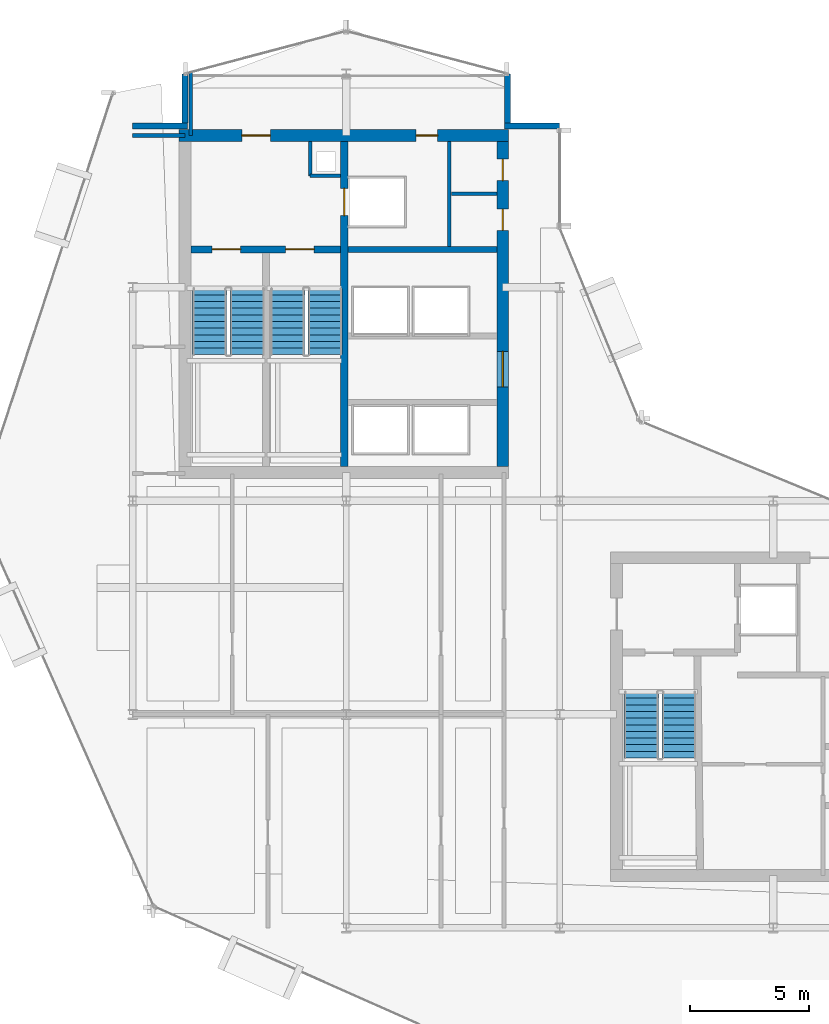
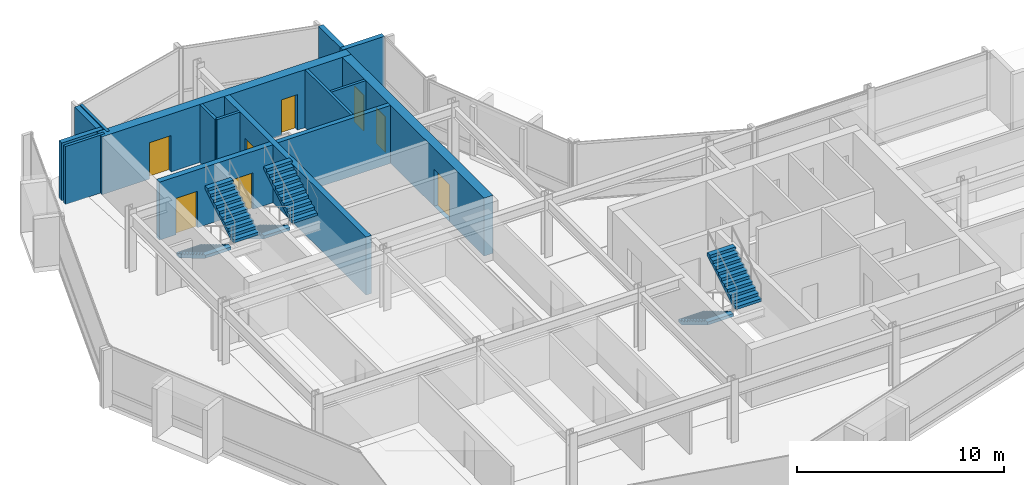
# One storey, part 21 of 27: 15 walls, 8 doors, 6 stair flights, 8 openings, 3 elements without a shape of their own.
"""IFC4 building model written with IfcOpenShell, lengths in metres."""

from ifc_helpers import new_model, si_unit, direction, frame, frame_2d, origin, place, context, subcontext, project, spatial, polyline, rectangle, outline, extrude, material, layer, layer_set, type_object, element, fill, aggregate, save


model = new_model("IFC4")

# Units and contexts
model_context = context("Model", 3, precision=1e-05, world=origin(), true_north=direction((0.0, 1.0)))
body_context = subcontext(model_context, "Body", "Model", "MODEL_VIEW")
ifc_project = project(units=[si_unit("LENGTHUNIT", "METRE"), si_unit("AREAUNIT", "SQUARE_METRE"), si_unit("VOLUMEUNIT", "CUBIC_METRE"), si_unit("PLANEANGLEUNIT", "RADIAN"), si_unit("MASSUNIT", "GRAM", prefix="KILO")], contexts=[model_context])

# Site, building, storey
site_placement = place(None, origin())
site = spatial("IfcSite", under=ifc_project, at=site_placement, CompositionType="ELEMENT")
building_placement = place(site_placement, origin())
building = spatial("IfcBuilding", under=site, at=building_placement, Name="Solvaryn Broadcast Tower", CompositionType="ELEMENT")
storey_placement = place(building_placement, frame((0.0, 0.0, 189.0)))
storey = spatial("IfcBuildingStorey", under=building, at=storey_placement, Name="L47", CompositionType="ELEMENT", Elevation=189.0)

# Wall, openings, doors
ifc_material_1 = material(Name="Concrete f'c 70 MPa", Category="concrete")
ifc_layer_1 = layer(ifc_material_1, 0.5)
ifc_layer_set_1 = layer_set([ifc_layer_1], Name="CW-SHEAR-500")
wall_type_1 = type_object("IfcWallType", Name="CW-SHEAR-500", PredefinedType="SHEAR", material=ifc_layer_set_1)
wall_1_placement = place(storey_placement, frame((24.85009765625, 42.39990234375, 0.0), z_axis=(0.0, 0.0, 1.0), x_axis=(-1.0, 0.0, 0.0)))
wall_1 = element("IfcWall", 1, at=wall_1_placement, inside=storey, type_object=wall_type_1, Name="L47 West Core North Shear Wall", PredefinedType="SHEAR", context=body_context, shape_type="SweptSolid", body=[
    extrude(rectangle(XDim=13.900146484375, YDim=0.5, at=frame_2d((6.9501953125, 0.0))), origin(), (0.0, 0.0, 1.0), 3.419921875),
])
opening_1_placement = place(wall_1_placement, frame((10.050048828125, 0.0, 0.0)))
opening_1 = element("IfcOpeningElement", 2, at=opening_1_placement, cuts=wall_1, Name="Opening FD90A", PredefinedType="OPENING", context=body_context, shape_type="SweptSolid", body=[
    extrude(rectangle(XDim=1.199951171875, YDim=2.14990234375, at=frame_2d((0.60009765625, 1.074951171875))), frame((0.0, 0.260009765625, 0.0), z_axis=(0.0, -1.0, 0.0), x_axis=(1.0, 0.0, 0.0)), (0.0, 0.0, 1.0), 0.52001953125),
])
opening_2_placement = place(wall_1_placement, frame((3.0, 0.0, 0.0)))
opening_2 = element("IfcOpeningElement", 3, at=opening_2_placement, cuts=wall_1, Name="Opening FD60C", PredefinedType="OPENING", context=body_context, shape_type="SweptSolid", body=[
    extrude(rectangle(XDim=0.89990234375, YDim=2.10009765625, at=frame_2d((0.449951171875, 1.050048828125))), frame((0.0, 0.260009765625, 0.0), z_axis=(0.0, -1.0, 0.0), x_axis=(1.0, 0.0, 0.0)), (0.0, 0.0, 1.0), 0.52001953125),
])
ifc_material_2 = material(Name="Flush Acoustic Steel and Timber Door Assembly", Category="steel")
door_type_1 = type_object("IfcDoorType", Name="FD60-SERV-900X2100", OperationType="NOTDEFINED", PredefinedType="DOOR", material=ifc_material_2)
door_1_placement = place(opening_2_placement, origin())
door_1 = element("IfcDoor", 4, at=door_1_placement, inside=storey, type_object=door_type_1, Name="L47 West Core Fiber Riser Door", OperationType="SINGLE_SWING_RIGHT", OverallHeight=2.10009765625, OverallWidth=0.89990234375, PredefinedType="DOOR", context=body_context, shape_type="SweptSolid", body=[
    extrude(rectangle(XDim=0.89990234375, YDim=2.10009765625, at=frame_2d((0.449951171875, 1.050048828125))), frame((0.0, 0.02490234375, 0.0), z_axis=(0.0, -1.0, 0.0), x_axis=(1.0, 0.0, 0.0)), (0.0, 0.0, 1.0), 0.050048828125),
])
fill(opening_2, door_1)
ifc_material_3 = material(Name="Flush Acoustic Steel and Timber Door Assembly", Category="steel")
door_type_2 = type_object("IfcDoorType", Name="FD90-STAIR-1200X2150", OperationType="NOTDEFINED", PredefinedType="DOOR", material=ifc_material_3)
door_2_placement = place(opening_1_placement, origin())
door_2 = element("IfcDoor", 5, at=door_2_placement, inside=storey, type_object=door_type_2, Name="L47 West FSAE Lobby Corridor Door", OperationType="SINGLE_SWING_LEFT", OverallHeight=2.14990234375, OverallWidth=1.199951171875, PredefinedType="DOOR", context=body_context, shape_type="SweptSolid", body=[
    extrude(rectangle(XDim=1.199951171875, YDim=2.14990234375, at=frame_2d((0.60009765625, 1.074951171875))), frame((0.0, 0.02490234375, 0.0), z_axis=(0.0, -1.0, 0.0), x_axis=(1.0, 0.0, 0.0)), (0.0, 0.0, 1.0), 0.050048828125),
])
fill(opening_1, door_2)

wall_2_placement = place(storey_placement, frame((24.60009765625, 28.449951171875, 0.0), z_axis=(0.0, 0.0, 1.0), x_axis=(0.0, 1.0, 0.0)))
wall_2 = element("IfcWall", 6, at=wall_2_placement, inside=storey, type_object=wall_type_1, Name="L47 West Core East Shear Wall", PredefinedType="SHEAR", context=body_context, shape_type="SweptSolid", body=[
    extrude(rectangle(XDim=13.699951171875, YDim=0.5, at=frame_2d((6.85009765625, 0.0))), origin(), (0.0, 0.0, 1.0), 3.419921875),
])
opening_3_placement = place(wall_2_placement, frame((3.35009765625, 0.0, 0.0)))
opening_3 = element("IfcOpeningElement", 7, at=opening_3_placement, cuts=wall_2, Name="Opening FD60A", PredefinedType="OPENING", context=body_context, shape_type="SweptSolid", body=[
    extrude(rectangle(XDim=1.5, YDim=2.199951171875, at=frame_2d((0.75, 1.10009765625))), frame((0.0, 0.260009765625, 0.0), z_axis=(0.0, -1.0, 0.0), x_axis=(1.0, 0.0, 0.0)), (0.0, 0.0, 1.0), 0.52001953125),
])
opening_4_placement = place(wall_2_placement, frame((9.949951171875, 0.0, 0.0)))
opening_4 = element("IfcOpeningElement", 8, at=opening_4_placement, cuts=wall_2, Name="Opening FD60C", PredefinedType="OPENING", context=body_context, shape_type="SweptSolid", body=[
    extrude(rectangle(XDim=0.89990234375, YDim=2.10009765625, at=frame_2d((0.449951171875, 1.050048828125))), frame((0.0, 0.260009765625, 0.0), z_axis=(0.0, -1.0, 0.0), x_axis=(1.0, 0.0, 0.0)), (0.0, 0.0, 1.0), 0.52001953125),
])
opening_5_placement = place(wall_2_placement, frame((12.050048828125, 0.0, 0.0)))
opening_5 = element("IfcOpeningElement", 9, at=opening_5_placement, cuts=wall_2, Name="Opening FD60C", PredefinedType="OPENING", context=body_context, shape_type="SweptSolid", body=[
    extrude(rectangle(XDim=0.89990234375, YDim=2.10009765625, at=frame_2d((0.449951171875, 1.050048828125))), frame((0.0, 0.260009765625, 0.0), z_axis=(0.0, -1.0, 0.0), x_axis=(1.0, 0.0, 0.0)), (0.0, 0.0, 1.0), 0.52001953125),
])
ifc_material_4 = material(Name="Flush Acoustic Steel and Timber Door Assembly", Category="steel")
door_type_3 = type_object("IfcDoorType", Name="FD60-CORR-1500X2200", OperationType="NOTDEFINED", PredefinedType="DOOR", material=ifc_material_4)
door_3_placement = place(opening_3_placement, origin())
door_3 = element("IfcDoor", 10, at=door_3_placement, inside=storey, type_object=door_type_3, Name="L47 West Elevator Lobby Corridor Door", OperationType="DOUBLE_DOOR_SINGLE_SWING", OverallHeight=2.199951171875, OverallWidth=1.5, PredefinedType="DOOR", context=body_context, shape_type="SweptSolid", body=[
    extrude(rectangle(XDim=1.5, YDim=2.199951171875, at=frame_2d((0.75, 1.10009765625))), frame((0.0, 0.02490234375, 0.0), z_axis=(0.0, -1.0, 0.0), x_axis=(1.0, 0.0, 0.0)), (0.0, 0.0, 1.0), 0.050048828125),
])
fill(opening_3, door_3)
door_4_placement = place(opening_4_placement, origin())
door_4 = element("IfcDoor", 11, at=door_4_placement, inside=storey, type_object=door_type_1, Name="L47 West Core Service Door 1", OperationType="SINGLE_SWING_LEFT", OverallHeight=2.10009765625, OverallWidth=0.89990234375, PredefinedType="DOOR", context=body_context, shape_type="SweptSolid", body=[
    extrude(rectangle(XDim=0.89990234375, YDim=2.10009765625, at=frame_2d((0.449951171875, 1.050048828125))), frame((0.0, 0.02490234375, 0.0), z_axis=(0.0, -1.0, 0.0), x_axis=(1.0, 0.0, 0.0)), (0.0, 0.0, 1.0), 0.050048828125),
])
fill(opening_4, door_4)
door_5_placement = place(opening_5_placement, origin())
door_5 = element("IfcDoor", 12, at=door_5_placement, inside=storey, type_object=door_type_1, Name="L47 West Core Janitor Door", OperationType="SINGLE_SWING_RIGHT", OverallHeight=2.10009765625, OverallWidth=0.89990234375, PredefinedType="DOOR", context=body_context, shape_type="SweptSolid", body=[
    extrude(rectangle(XDim=0.89990234375, YDim=2.10009765625, at=frame_2d((0.449951171875, 1.050048828125))), frame((0.0, 0.02490234375, 0.0), z_axis=(0.0, -1.0, 0.0), x_axis=(1.0, 0.0, 0.0)), (0.0, 0.0, 1.0), 0.050048828125),
])
fill(opening_5, door_5)

# Walls
ifc_material_5 = material(Name="Concrete f'c 50 MPa", Category="concrete")
ifc_layer_2 = layer(ifc_material_5, 0.260009765625)
ifc_layer_set_2 = layer_set([ifc_layer_2], Name="EW-PIER-260")
wall_type_2 = type_object("IfcWallType", Name="EW-PIER-260", PredefinedType="SOLIDWALL", material=ifc_layer_set_2)
wall_3_placement = place(storey_placement, frame((9.0, 42.800048828125, 0.0), z_axis=(0.0, 0.0, 1.0), x_axis=(1.0, 0.0, 0.0)))
element("IfcWall", 13, at=wall_3_placement, inside=storey, type_object=wall_type_2, Name="L47 Notched Corner Pier Wall NNW1", PredefinedType="SOLIDWALL", context=body_context, shape_type="SweptSolid", body=[
    extrude(rectangle(XDim=2.320068359375, YDim=0.260009765625, at=frame_2d((1.16015625, 0.0))), origin(), (0.0, 0.0, 1.0), 3.419921875),
])
for number, where, z_axis, x_axis, name in (
    (14, (11.199951171875, 42.919921875, 0.0), (0.0, 0.0, 1.0), (0.0, 1.0, 0.0), "L47 Notched Corner Pier Wall NNW2"),
    (15, (24.800048828125, 45.0, 0.0), (0.0, 0.0, 1.0), (0.0, -1.0, 0.0), "L47 Notched Corner Pier Wall NNE1"),
):
    element("IfcWall", number, at=place(storey_placement, frame(where, z_axis=z_axis, x_axis=x_axis)), inside=storey, type_object=wall_type_2, Name=name, PredefinedType="SOLIDWALL", context=body_context, shape_type="SweptSolid", body=[
        extrude(rectangle(XDim=2.080078125, YDim=0.260009765625, at=frame_2d((1.0400390625, 0.0))), origin(), (0.0, 0.0, 1.0), 3.419921875),
    ])
wall_4_placement = place(storey_placement, frame((24.679931640625, 42.800048828125, 0.0), z_axis=(0.0, 0.0, 1.0), x_axis=(1.0, 0.0, 0.0)))
element("IfcWall", 16, at=wall_4_placement, inside=storey, type_object=wall_type_2, Name="L47 Notched Corner Pier Wall NNE2", PredefinedType="SOLIDWALL", context=body_context, shape_type="SweptSolid", body=[
    extrude(rectangle(XDim=2.320068359375, YDim=0.260009765625, at=frame_2d((1.16015625, 0.0))), origin(), (0.0, 0.0, 1.0), 3.419921875),
])
ifc_material_6 = material(Name="Metal-Stud Service Core Partition")
ifc_layer_3 = layer(ifc_material_6, 0.14990234375)
ifc_layer_set_3 = layer_set([ifc_layer_3], Name="IW-PART-150")
wall_type_3 = type_object("IfcWallType", Name="IW-PART-150", PredefinedType="PARTITIONING", material=ifc_layer_set_3)
wall_5_placement = place(storey_placement, frame((16.47998046875, 40.699951171875, 0.0), z_axis=(0.0, 0.0, 1.0), x_axis=(1.0, 0.0, 0.0)))
element("IfcWall", 17, at=wall_5_placement, inside=storey, type_object=wall_type_3, Name="L47 West Core Riser Shaft South Wall", PredefinedType="PARTITIONING", context=body_context, shape_type="SweptSolid", body=[
    extrude(rectangle(XDim=1.2900390625, YDim=0.14990234375, at=frame_2d((0.64501953125, 0.0))), origin(), (0.0, 0.0, 1.0), 3.419921875),
])
wall_6_placement = place(storey_placement, frame((16.47998046875, 40.699951171875, 0.0), z_axis=(0.0, 0.0, 1.0), x_axis=(0.0, 1.0, 0.0)))
element("IfcWall", 18, at=wall_6_placement, inside=storey, type_object=wall_type_3, Name="L47 West Core Riser Shaft West Wall", PredefinedType="PARTITIONING", context=body_context, shape_type="SweptSolid", body=[
    extrude(rectangle(XDim=1.449951171875, YDim=0.14990234375, at=frame_2d((0.72509765625, 0.0))), origin(), (0.0, 0.0, 1.0), 3.419921875),
])
wall_7_placement = place(storey_placement, frame((22.35009765625, 37.72998046875, 0.0), z_axis=(0.0, 0.0, 1.0), x_axis=(0.0, 1.0, 0.0)))
element("IfcWall", 19, at=wall_7_placement, inside=storey, type_object=wall_type_3, Name="L47 Interior Partition IW-L47-CWS-V", PredefinedType="PARTITIONING", context=body_context, shape_type="SweptSolid", body=[
    extrude(rectangle(XDim=4.419921875, YDim=0.14990234375, at=frame_2d((2.2099609375, 0.0))), origin(), (0.0, 0.0, 1.0), 3.419921875),
])
wall_8_placement = place(storey_placement, frame((22.429931640625, 39.949951171875, 0.0), z_axis=(0.0, 0.0, 1.0), x_axis=(1.0, 0.0, 0.0)))
element("IfcWall", 20, at=wall_8_placement, inside=storey, type_object=wall_type_3, Name="L47 Interior Partition IW-L47-CWS-H", PredefinedType="PARTITIONING", context=body_context, shape_type="SweptSolid", body=[
    extrude(rectangle(XDim=1.920166015625, YDim=0.14990234375, at=frame_2d((0.9599609375, 0.0))), origin(), (0.0, 0.0, 1.0), 3.419921875),
])
ifc_material_7 = material(Name="Metal-Stud Gypsum Office Partition")
ifc_layer_4 = layer(ifc_material_7, 0.159912109375)
ifc_layer_set_4 = layer_set([ifc_layer_4], Name="IW-PART-160")
wall_type_4 = type_object("IfcWallType", Name="IW-PART-160", PredefinedType="PARTITIONING", material=ifc_layer_set_4)
wall_9_placement = place(storey_placement, frame((9.0, 42.39990234375, 0.0), z_axis=(0.0, 0.0, 1.0), x_axis=(1.0, 0.0, 0.0)))
element("IfcWall", 21, at=wall_9_placement, inside=storey, type_object=wall_type_4, Name="L47 Interior Partition IW-L47-WM-N", PredefinedType="PARTITIONING", context=body_context, shape_type="SweptSolid", body=[
    extrude(rectangle(XDim=2.199951171875, YDim=0.159912109375, at=frame_2d((1.10009765625, 0.0))), origin(), (0.0, 0.0, 1.0), 3.419921875),
])
wall_10_placement = place(storey_placement, frame((11.449951171875, 42.39990234375, 0.0), z_axis=(0.0, 0.0, 1.0), x_axis=(0.0, 1.0, 0.0)))
element("IfcWall", 22, at=wall_10_placement, inside=storey, type_object=wall_type_4, Name="L47 Interior Partition IW-L47-WM-E", PredefinedType="PARTITIONING", context=body_context, shape_type="SweptSolid", body=[
    extrude(rectangle(XDim=2.666015625, YDim=0.159912109375, at=frame_2d((1.3330078125, 0.0))), origin(), (0.0, 0.0, 1.0), 3.419921875),
])
ifc_material_8 = material(Name="Concrete f'c 60 MPa", Category="concrete")
ifc_layer_5 = layer(ifc_material_8, 0.25)
ifc_layer_set_5 = layer_set([ifc_layer_5], Name="SW-SHAFT-250")
wall_type_5 = type_object("IfcWallType", Name="SW-SHAFT-250", PredefinedType="PARTITIONING", material=ifc_layer_set_5)
wall_11_placement = place(storey_placement, frame((18.070068359375, 37.60009765625, 0.0), z_axis=(0.0, 0.0, 1.0), x_axis=(1.0, 0.0, 0.0)))
element("IfcWall", 23, at=wall_11_placement, inside=storey, type_object=wall_type_5, Name="L47 West Core FSAE Hoistway Front Wall", PredefinedType="PARTITIONING", context=body_context, shape_type="SweptSolid", body=[
    extrude(rectangle(XDim=6.280029296875, YDim=0.25, at=frame_2d((3.14013671875, 0.0))), origin(), (0.0, 0.0, 1.0), 3.419921875),
])

# Wall, opening, door
ifc_material_9 = material(Name="Concrete f'c 70 MPa", Category="concrete")
ifc_layer_6 = layer(ifc_material_9, 0.300048828125)
ifc_layer_set_6 = layer_set([ifc_layer_6], Name="SW-SHAFT-300")
wall_type_6 = type_object("IfcWallType", Name="SW-SHAFT-300", PredefinedType="SHEAR", material=ifc_layer_set_6)
wall_12_placement = place(storey_placement, frame((17.919921875, 42.14990234375, 0.0), z_axis=(0.0, 0.0, 1.0), x_axis=(0.0, -1.0, 0.0)))
wall_12 = element("IfcWall", 24, at=wall_12_placement, inside=storey, type_object=wall_type_6, Name="L47 West Core Stair-Lobby Shear Wall", PredefinedType="SHEAR", context=body_context, shape_type="SweptSolid", body=[
    extrude(rectangle(XDim=13.699951171875, YDim=0.300048828125, at=frame_2d((6.85009765625, 0.0))), origin(), (0.0, 0.0, 1.0), 3.419921875),
])
opening_6_placement = place(wall_12_placement, frame((1.97509765625, 0.0, 0.0)))
opening_6 = element("IfcOpeningElement", 25, at=opening_6_placement, cuts=wall_12, Name="Opening LD01", PredefinedType="OPENING", context=body_context, shape_type="SweptSolid", body=[
    extrude(rectangle(XDim=1.14990234375, YDim=2.14990234375, at=frame_2d((0.574951171875, 1.074951171875))), frame((0.0, 0.159912109375, 0.0), z_axis=(0.0, -1.0, 0.0), x_axis=(1.0, 0.0, 0.0)), (0.0, 0.0, 1.0), 0.320068359375),
])
ifc_material_10 = material(Name="Flush Acoustic Steel and Timber Door Assembly", Category="steel")
door_type_4 = type_object("IfcDoorType", Name="LD-LIFT-1150X2150", OperationType="NOTDEFINED", PredefinedType="DOOR", material=ifc_material_10)
door_6_placement = place(opening_6_placement, origin())
door_6 = element("IfcDoor", 26, at=door_6_placement, inside=storey, type_object=door_type_4, Name="L47 FL1 Lift Landing Door", OperationType="DOUBLE_DOOR_SLIDING", OverallHeight=2.14990234375, OverallWidth=1.14990234375, PredefinedType="DOOR", context=body_context, shape_type="SweptSolid", body=[
    extrude(rectangle(XDim=1.14990234375, YDim=2.14990234375, at=frame_2d((0.574951171875, 1.074951171875))), frame((0.0, 0.02490234375, 0.0), z_axis=(0.0, -1.0, 0.0), x_axis=(1.0, 0.0, 0.0)), (0.0, 0.0, 1.0), 0.050048828125),
])
fill(opening_6, door_6)

# Wall, openings, doors
wall_13_placement = place(storey_placement, frame((17.77001953125, 37.60009765625, 0.0), z_axis=(0.0, 0.0, 1.0), x_axis=(-1.0, 0.0, 0.0)))
wall_13 = element("IfcWall", 27, at=wall_13_placement, inside=storey, type_object=wall_type_6, Name="L47 West Core FSAE Lobby South Wall", PredefinedType="SHEAR", context=body_context, shape_type="SweptSolid", body=[
    extrude(rectangle(XDim=6.320068359375, YDim=0.300048828125, at=frame_2d((3.16015625, 0.0))), origin(), (0.0, 0.0, 1.0), 3.419921875),
])
opening_7_placement = place(wall_13_placement, frame((4.219970703125, 0.0, 0.0)))
opening_7 = element("IfcOpeningElement", 28, at=opening_7_placement, cuts=wall_13, Name="Opening FD90A", PredefinedType="OPENING", context=body_context, shape_type="SweptSolid", body=[
    extrude(rectangle(XDim=1.199951171875, YDim=2.14990234375, at=frame_2d((0.60009765625, 1.074951171875))), frame((0.0, 0.159912109375, 0.0), z_axis=(0.0, -1.0, 0.0), x_axis=(1.0, 0.0, 0.0)), (0.0, 0.0, 1.0), 0.320068359375),
])
opening_8_placement = place(wall_13_placement, frame((1.1201171875, 0.0, 0.0)))
opening_8 = element("IfcOpeningElement", 29, at=opening_8_placement, cuts=wall_13, Name="Opening FD90A", PredefinedType="OPENING", context=body_context, shape_type="SweptSolid", body=[
    extrude(rectangle(XDim=1.199951171875, YDim=2.14990234375, at=frame_2d((0.60009765625, 1.074951171875))), frame((0.0, 0.159912109375, 0.0), z_axis=(0.0, -1.0, 0.0), x_axis=(1.0, 0.0, 0.0)), (0.0, 0.0, 1.0), 0.320068359375),
])
door_7_placement = place(opening_7_placement, origin())
door_7 = element("IfcDoor", 30, at=door_7_placement, inside=storey, type_object=door_type_2, Name="L47 Stair 1 Fire Door", OperationType="SINGLE_SWING_LEFT", OverallHeight=2.14990234375, OverallWidth=1.199951171875, PredefinedType="DOOR", context=body_context, shape_type="SweptSolid", body=[
    extrude(rectangle(XDim=1.199951171875, YDim=2.14990234375, at=frame_2d((0.60009765625, 1.074951171875))), frame((0.0, 0.02490234375, 0.0), z_axis=(0.0, -1.0, 0.0), x_axis=(1.0, 0.0, 0.0)), (0.0, 0.0, 1.0), 0.050048828125),
])
fill(opening_7, door_7)
door_8_placement = place(opening_8_placement, origin())
door_8 = element("IfcDoor", 31, at=door_8_placement, inside=storey, type_object=door_type_2, Name="L47 Stair 2 Fire Door", OperationType="SINGLE_SWING_RIGHT", OverallHeight=2.14990234375, OverallWidth=1.199951171875, PredefinedType="DOOR", context=body_context, shape_type="SweptSolid", body=[
    extrude(rectangle(XDim=1.199951171875, YDim=2.14990234375, at=frame_2d((0.60009765625, 1.074951171875))), frame((0.0, 0.02490234375, 0.0), z_axis=(0.0, -1.0, 0.0), x_axis=(1.0, 0.0, 0.0)), (0.0, 0.0, 1.0), 0.050048828125),
])
fill(opening_8, door_8)

# Stair, stair flights
ifc_material_11 = material(Name="Concrete f'c 60 MPa", Category="concrete")
stair_type = type_object("IfcStairType", Name="ST-CORE", PredefinedType="HALF_TURN_STAIR", material=ifc_material_11)
stair_1_placement = place(storey_placement, origin())
stair_1 = element("IfcStair", 32, at=stair_1_placement, inside=storey, type_object=stair_type, Name="L47 ST1", PredefinedType="HALF_TURN_STAIR")
ifc_material_12 = material(Name="Concrete f'c 60 MPa", Category="concrete")
ifc_layer_7 = layer(ifc_material_12, 0.159912109375)
ifc_layer_set_7 = layer_set([ifc_layer_7], Name="SF-CORE")
stair_flight_type = type_object("IfcStairFlightType", Name="SF-CORE", PredefinedType="STRAIGHT", material=ifc_layer_set_7)
stair_flight_1_placement = place(storey_placement, frame((12.239990234375, 35.9599609375, 0.0), z_axis=(0.0, 0.0, 1.0), x_axis=(0.0, -1.0, 0.0)))
stair_flight_1 = element("IfcStairFlight", 33, at=stair_flight_1_placement, type_object=stair_flight_type, Name="ST1 flight 1", NumberOfRisers=11, NumberOfTreads=10, PredefinedType="STRAIGHT", RiserHeight=0.168181818, TreadLength=0.28, context=body_context, shape_type="SweptSolid", body=[
    extrude(outline(polyline([(0.0, 0.0), (0.0, 0.168212890625), (0.280029296875, 0.168212890625), (0.280029296875, 0.33642578125), (0.56005859375, 0.33642578125), (0.56005859375, 0.504638671875), (0.840087890625, 0.504638671875), (0.840087890625, 0.672607421875), (1.1201171875, 0.672607421875), (1.1201171875, 0.8408203125), (1.39990234375, 0.8408203125), (1.39990234375, 1.009033203125), (1.679931640625, 1.009033203125), (1.679931640625, 1.17724609375), (1.9599609375, 1.17724609375), (1.9599609375, 1.345458984375), (2.239990234375, 1.345458984375), (2.239990234375, 1.513671875), (2.52001953125, 1.513671875), (2.52001953125, 1.681884765625), (2.800048828125, 1.681884765625), (2.800048828125, 1.85009765625), (2.800048828125, 1.5068359375), (0.291015625, 0.0), (0.0, 0.0)])), frame((0.0, 0.719970703125, 0.0), z_axis=(0.0, -1.0, 0.0), x_axis=(1.0, 0.0, 0.0)), (0.0, 0.0, 1.0), 1.43994140625),
])
stair_flight_2_placement = place(storey_placement, frame((13.830078125, 33.159912109375, 1.85009765625), z_axis=(0.0, 0.0, 1.0), x_axis=(0.0, 1.0, 0.0)))
stair_flight_2 = element("IfcStairFlight", 34, at=stair_flight_2_placement, type_object=stair_flight_type, Name="ST1 flight 2", NumberOfRisers=11, NumberOfTreads=10, PredefinedType="STRAIGHT", RiserHeight=0.168181818, TreadLength=0.28, context=body_context, shape_type="SweptSolid", body=[
    extrude(outline(polyline([(0.0, 0.0), (0.0, 0.168212890625), (0.280029296875, 0.168212890625), (0.280029296875, 0.33642578125), (0.56005859375, 0.33642578125), (0.56005859375, 0.504638671875), (0.840087890625, 0.504638671875), (0.840087890625, 0.672607421875), (1.1201171875, 0.672607421875), (1.1201171875, 0.8408203125), (1.39990234375, 0.8408203125), (1.39990234375, 1.009033203125), (1.679931640625, 1.009033203125), (1.679931640625, 1.17724609375), (1.9599609375, 1.17724609375), (1.9599609375, 1.345458984375), (2.239990234375, 1.345458984375), (2.239990234375, 1.513671875), (2.52001953125, 1.513671875), (2.52001953125, 1.681884765625), (2.800048828125, 1.681884765625), (2.800048828125, 1.85009765625), (2.800048828125, 1.5068359375), (0.291015625, 0.0), (0.0, 0.0)])), frame((0.0, 0.719970703125, 0.0), z_axis=(0.0, -1.0, 0.0), x_axis=(1.0, 0.0, 0.0)), (0.0, 0.0, 1.0), 1.43994140625),
])
aggregate(stair_1, [stair_flight_1, stair_flight_2])

stair_2_placement = place(storey_placement, origin())
stair_2 = element("IfcStair", 35, at=stair_2_placement, inside=storey, type_object=stair_type, Name="L47 ST2", PredefinedType="HALF_TURN_STAIR")
stair_flight_3_placement = place(storey_placement, frame((15.52001953125, 35.9599609375, 0.0), z_axis=(0.0, 0.0, 1.0), x_axis=(0.0, -1.0, 0.0)))
stair_flight_3 = element("IfcStairFlight", 36, at=stair_flight_3_placement, type_object=stair_flight_type, Name="ST2 flight 1", NumberOfRisers=11, NumberOfTreads=10, PredefinedType="STRAIGHT", RiserHeight=0.168181818, TreadLength=0.28, context=body_context, shape_type="SweptSolid", body=[
    extrude(outline(polyline([(0.0, 0.0), (0.0, 0.168212890625), (0.280029296875, 0.168212890625), (0.280029296875, 0.33642578125), (0.56005859375, 0.33642578125), (0.56005859375, 0.504638671875), (0.840087890625, 0.504638671875), (0.840087890625, 0.672607421875), (1.1201171875, 0.672607421875), (1.1201171875, 0.8408203125), (1.39990234375, 0.8408203125), (1.39990234375, 1.009033203125), (1.679931640625, 1.009033203125), (1.679931640625, 1.17724609375), (1.9599609375, 1.17724609375), (1.9599609375, 1.345458984375), (2.239990234375, 1.345458984375), (2.239990234375, 1.513671875), (2.52001953125, 1.513671875), (2.52001953125, 1.681884765625), (2.800048828125, 1.681884765625), (2.800048828125, 1.85009765625), (2.800048828125, 1.5068359375), (0.291015625, 0.0), (0.0, 0.0)])), frame((0.0, 0.719970703125, 0.0), z_axis=(0.0, -1.0, 0.0), x_axis=(1.0, 0.0, 0.0)), (0.0, 0.0, 1.0), 1.43994140625),
])
stair_flight_4_placement = place(storey_placement, frame((17.110107421875, 33.159912109375, 1.85009765625), z_axis=(0.0, 0.0, 1.0), x_axis=(0.0, 1.0, 0.0)))
stair_flight_4 = element("IfcStairFlight", 37, at=stair_flight_4_placement, type_object=stair_flight_type, Name="ST2 flight 2", NumberOfRisers=11, NumberOfTreads=10, PredefinedType="STRAIGHT", RiserHeight=0.168181818, TreadLength=0.28, context=body_context, shape_type="SweptSolid", body=[
    extrude(outline(polyline([(0.0, 0.0), (0.0, 0.168212890625), (0.280029296875, 0.168212890625), (0.280029296875, 0.33642578125), (0.56005859375, 0.33642578125), (0.56005859375, 0.504638671875), (0.840087890625, 0.504638671875), (0.840087890625, 0.672607421875), (1.1201171875, 0.672607421875), (1.1201171875, 0.8408203125), (1.39990234375, 0.8408203125), (1.39990234375, 1.009033203125), (1.679931640625, 1.009033203125), (1.679931640625, 1.17724609375), (1.9599609375, 1.17724609375), (1.9599609375, 1.345458984375), (2.239990234375, 1.345458984375), (2.239990234375, 1.513671875), (2.52001953125, 1.513671875), (2.52001953125, 1.681884765625), (2.800048828125, 1.681884765625), (2.800048828125, 1.85009765625), (2.800048828125, 1.5068359375), (0.291015625, 0.0), (0.0, 0.0)])), frame((0.0, 0.719970703125, 0.0), z_axis=(0.0, -1.0, 0.0), x_axis=(1.0, 0.0, 0.0)), (0.0, 0.0, 1.0), 1.43994140625),
])
aggregate(stair_2, [stair_flight_3, stair_flight_4])

stair_3_placement = place(storey_placement, origin())
stair_3 = element("IfcStair", 38, at=stair_3_placement, inside=storey, type_object=stair_type, Name="L47 ST3", PredefinedType="HALF_TURN_STAIR")
stair_flight_5_placement = place(storey_placement, frame((30.43994140625, 18.9599609375, 0.0), z_axis=(0.0, 0.0, 1.0), x_axis=(0.0, -1.0, 0.0)))
stair_flight_5 = element("IfcStairFlight", 39, at=stair_flight_5_placement, type_object=stair_flight_type, Name="ST3 flight 1", NumberOfRisers=11, NumberOfTreads=10, PredefinedType="STRAIGHT", RiserHeight=0.168181818, TreadLength=0.28, context=body_context, shape_type="SweptSolid", body=[
    extrude(outline(polyline([(0.0, 0.0), (0.0, 0.168212890625), (0.280029296875, 0.168212890625), (0.280029296875, 0.33642578125), (0.56005859375, 0.33642578125), (0.56005859375, 0.504638671875), (0.840087890625, 0.504638671875), (0.840087890625, 0.672607421875), (1.1201171875, 0.672607421875), (1.1201171875, 0.8408203125), (1.39990234375, 0.8408203125), (1.39990234375, 1.009033203125), (1.679931640625, 1.009033203125), (1.679931640625, 1.17724609375), (1.9599609375, 1.17724609375), (1.9599609375, 1.345458984375), (2.239990234375, 1.345458984375), (2.239990234375, 1.513671875), (2.52001953125, 1.513671875), (2.52001953125, 1.681884765625), (2.800048828125, 1.681884765625), (2.800048828125, 1.85009765625), (2.800048828125, 1.5068359375), (0.291015625, 0.0), (0.0, 0.0)])), frame((0.0, 0.719970703125, 0.0), z_axis=(0.0, -1.0, 0.0), x_axis=(1.0, 0.0, 0.0)), (0.0, 0.0, 1.0), 1.43994140625),
])
stair_flight_6_placement = place(storey_placement, frame((32.030029296875, 16.159912109375, 1.85009765625), z_axis=(0.0, 0.0, 1.0), x_axis=(0.0, 1.0, 0.0)))
stair_flight_6 = element("IfcStairFlight", 40, at=stair_flight_6_placement, type_object=stair_flight_type, Name="ST3 flight 2", NumberOfRisers=11, NumberOfTreads=10, PredefinedType="STRAIGHT", RiserHeight=0.168181818, TreadLength=0.28, context=body_context, shape_type="SweptSolid", body=[
    extrude(outline(polyline([(0.0, 0.0), (0.0, 0.168212890625), (0.280029296875, 0.168212890625), (0.280029296875, 0.33642578125), (0.56005859375, 0.33642578125), (0.56005859375, 0.504638671875), (0.840087890625, 0.504638671875), (0.840087890625, 0.672607421875), (1.1201171875, 0.672607421875), (1.1201171875, 0.8408203125), (1.39990234375, 0.8408203125), (1.39990234375, 1.009033203125), (1.679931640625, 1.009033203125), (1.679931640625, 1.17724609375), (1.9599609375, 1.17724609375), (1.9599609375, 1.345458984375), (2.239990234375, 1.345458984375), (2.239990234375, 1.513671875), (2.52001953125, 1.513671875), (2.52001953125, 1.681884765625), (2.800048828125, 1.681884765625), (2.800048828125, 1.85009765625), (2.800048828125, 1.5068359375), (0.291015625, 0.0), (0.0, 0.0)])), frame((0.0, 0.719970703125, 0.0), z_axis=(0.0, -1.0, 0.0), x_axis=(1.0, 0.0, 0.0)), (0.0, 0.0, 1.0), 1.43994140625),
])
aggregate(stair_3, [stair_flight_5, stair_flight_6])

save(model, "model.ifc")
